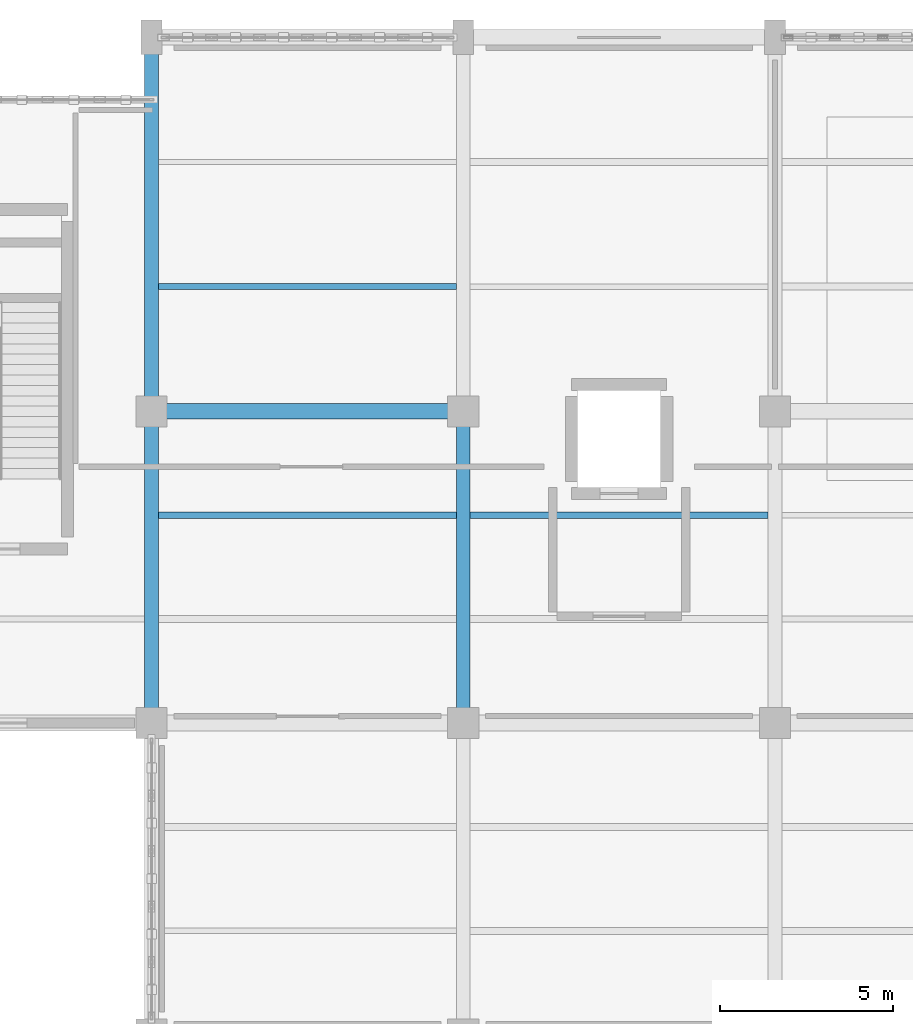
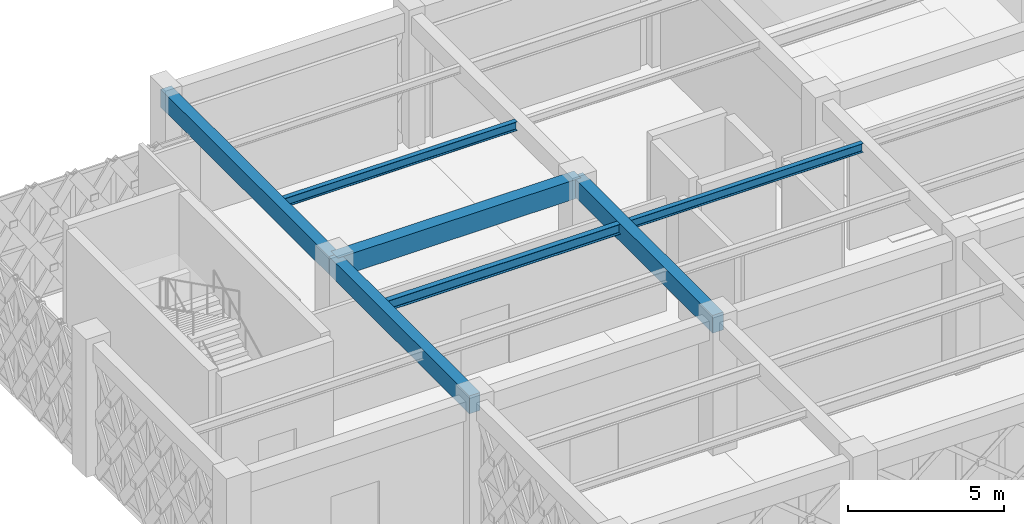
# One storey, part 88 of 166: 7 beams.
"""IFC4 building model written with IfcOpenShell, lengths in metres."""

from ifc_helpers import new_model, si_unit, direction, frame, origin, origin_2d, place, context, subcontext, project, spatial, rectangle, i_section, extrude, material, material_profile, profile_set, type_object, element, save


model = new_model("IFC4")

# Units and contexts
model_context = context("Model", 3, precision=1e-05, world=origin(), true_north=direction((0.0, 1.0)))
body_context = subcontext(model_context, "Body", "Model", "MODEL_VIEW")
ifc_project = project(units=[si_unit("LENGTHUNIT", "METRE"), si_unit("AREAUNIT", "SQUARE_METRE"), si_unit("VOLUMEUNIT", "CUBIC_METRE"), si_unit("PLANEANGLEUNIT", "RADIAN"), si_unit("MASSUNIT", "GRAM", prefix="KILO")], contexts=[model_context])

# Site, building, storey
site_placement = place(None, origin())
site = spatial("IfcSite", under=ifc_project, at=site_placement, CompositionType="ELEMENT")
building_placement = place(site_placement, origin())
building = spatial("IfcBuilding", under=site, at=building_placement, Name="Haizhuo Lancet Aquarium", CompositionType="ELEMENT")
storey_placement = place(building_placement, frame((0.0, 0.0, 5.39990234375)))
storey = spatial("IfcBuildingStorey", under=building, at=storey_placement, Name="L01", CompositionType="ELEMENT", Elevation=5.39990234375)

# Beams
ifc_material_1 = material(Name="Concrete C40/50", Category="concrete")
ifc_material_profile_1 = material_profile(ifc_material_1, rectangle(XDim=0.39990234375, YDim=0.699951171875, at=origin_2d()), Name="RC-BM 400x700")
ifc_profile_set_1 = profile_set([ifc_material_profile_1], Name="Concrete C40/50")
beam_type_1 = type_object("IfcBeamType", Name="BM-RC-400x700", PredefinedType="BEAM", material=ifc_profile_set_1)
beam_1_placement = place(storey_placement, frame((-18.0, 36.0, 4.7900390625), z_axis=(0.0, 1.0, 0.0), x_axis=(-1.0, 0.0, 0.0)))
element("IfcBeam", 1, at=beam_1_placement, inside=storey, type_object=beam_type_1, Name="L01 V5 primary girder BM-L01-V5-005", PredefinedType="BEAM", context=body_context, shape_type="SweptSolid", body=[
    extrude(rectangle(XDim=0.39990234375, YDim=0.699951171875, at=origin_2d()), origin(), (0.0, 0.0, 1.0), 9.0),
])
beam_2_placement = place(storey_placement, frame((-18.0, 45.0, 4.7900390625), z_axis=(0.0, 1.0, 0.0), x_axis=(-1.0, 0.0, 0.0)))
element("IfcBeam", 2, at=beam_2_placement, inside=storey, type_object=beam_type_1, Name="L01 V5 primary girder BM-L01-V5-007", PredefinedType="BEAM", context=body_context, shape_type="SweptSolid", body=[
    extrude(rectangle(XDim=0.39990234375, YDim=0.699951171875, at=origin_2d()), origin(), (0.0, 0.0, 1.0), 10.800048828125),
])
beam_3_placement = place(storey_placement, frame((-9.0, 36.0, 4.7900390625), z_axis=(0.0, 1.0, 0.0), x_axis=(-1.0, 0.0, 0.0)))
element("IfcBeam", 3, at=beam_3_placement, inside=storey, type_object=beam_type_1, Name="L01 V5 primary girder BM-L01-V5-012", PredefinedType="BEAM", context=body_context, shape_type="SweptSolid", body=[
    extrude(rectangle(XDim=0.39990234375, YDim=0.699951171875, at=origin_2d()), origin(), (0.0, 0.0, 1.0), 9.0),
])
ifc_material_profile_2 = material_profile(ifc_material_1, rectangle(XDim=0.449951171875, YDim=0.75, at=origin_2d()), Name="RC-BM 450x750")
ifc_profile_set_2 = profile_set([ifc_material_profile_2], Name="Concrete C40/50")
beam_type_2 = type_object("IfcBeamType", Name="BM-RC-450x750", PredefinedType="BEAM", material=ifc_profile_set_2)
beam_4_placement = place(storey_placement, frame((-18.0, 45.0, 4.76513671875), z_axis=(1.0, 0.0, 0.0), x_axis=(0.0, 1.0, 0.0)))
element("IfcBeam", 4, at=beam_4_placement, inside=storey, type_object=beam_type_2, Name="L01 V5 primary girder BM-L01-V5-008", PredefinedType="BEAM", context=body_context, shape_type="SweptSolid", body=[
    extrude(rectangle(XDim=0.449951171875, YDim=0.75, at=origin_2d()), origin(), (0.0, 0.0, 1.0), 9.0),
])
ifc_material_2 = material(Name="Steel S355", Category="steel")
ifc_material_profile_3 = material_profile(ifc_material_2, i_section(OverallWidth=0.175048828125, OverallDepth=0.35009765625, WebThickness=0.007080078125, FlangeThickness=0.010986328125, FilletRadius=0.013916015625, at=origin_2d()), Name="HN 350x175x7x11")
ifc_profile_set_3 = profile_set([ifc_material_profile_3], Name="Steel S355")
beam_type_3 = type_object("IfcBeamType", Name="JST-ST-HN350", PredefinedType="JOIST", material=ifc_profile_set_3)
for number, where, z_axis, x_axis, name in (
    (5, (-17.800048828125, 48.60009765625, 4.965087890625), (1.0, 0.0, 0.0), (0.0, 1.0, 0.0), "L01 V5 secondary floor joist 6"),
    (6, (-8.800048828125, 42.0, 4.965087890625), (1.0, 0.0, 0.0), (0.0, 1.0, 0.0), "L01 V5 secondary floor joist 11"),
):
    element("IfcBeam", number, at=place(storey_placement, frame(where, z_axis=z_axis, x_axis=x_axis)), inside=storey, type_object=beam_type_3, Name=name, PredefinedType="JOIST", context=body_context, shape_type="SweptSolid", body=[
        extrude(i_section(OverallWidth=0.175048828125, OverallDepth=0.35009765625, WebThickness=0.007080078125, FlangeThickness=0.010986328125, FilletRadius=0.013916015625, at=origin_2d()), origin(), (0.0, 0.0, 1.0), 8.60009765625),
    ])
ifc_material_profile_4 = material_profile(ifc_material_2, i_section(OverallWidth=0.199951171875, OverallDepth=0.39990234375, WebThickness=0.008056640625, FlangeThickness=0.012939453125, FilletRadius=0.01611328125, at=origin_2d()), Name="HN 400x200x8x13")
ifc_profile_set_4 = profile_set([ifc_material_profile_4], Name="Steel S355")
beam_type_4 = type_object("IfcBeamType", Name="JST-ST-HN400", PredefinedType="JOIST", material=ifc_profile_set_4)
beam_5_placement = place(storey_placement, frame((-17.800048828125, 42.0, 4.940185546875), z_axis=(1.0, 0.0, 0.0), x_axis=(0.0, 1.0, 0.0)))
element("IfcBeam", 7, at=beam_5_placement, inside=storey, type_object=beam_type_4, Name="L01 V5 secondary floor joist 5", PredefinedType="JOIST", context=body_context, shape_type="SweptSolid", body=[
    extrude(i_section(OverallWidth=0.199951171875, OverallDepth=0.39990234375, WebThickness=0.008056640625, FlangeThickness=0.012939453125, FilletRadius=0.01611328125, at=origin_2d()), origin(), (0.0, 0.0, 1.0), 8.60009765625),
])

save(model, "model.ifc")
